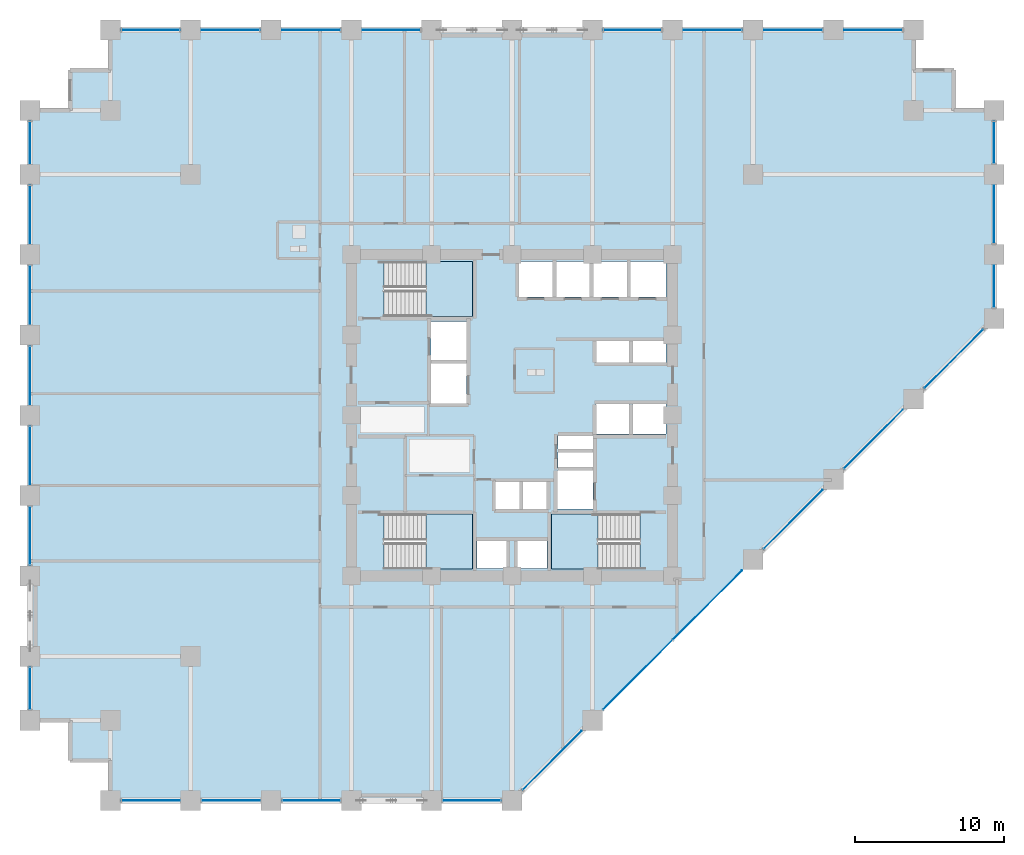
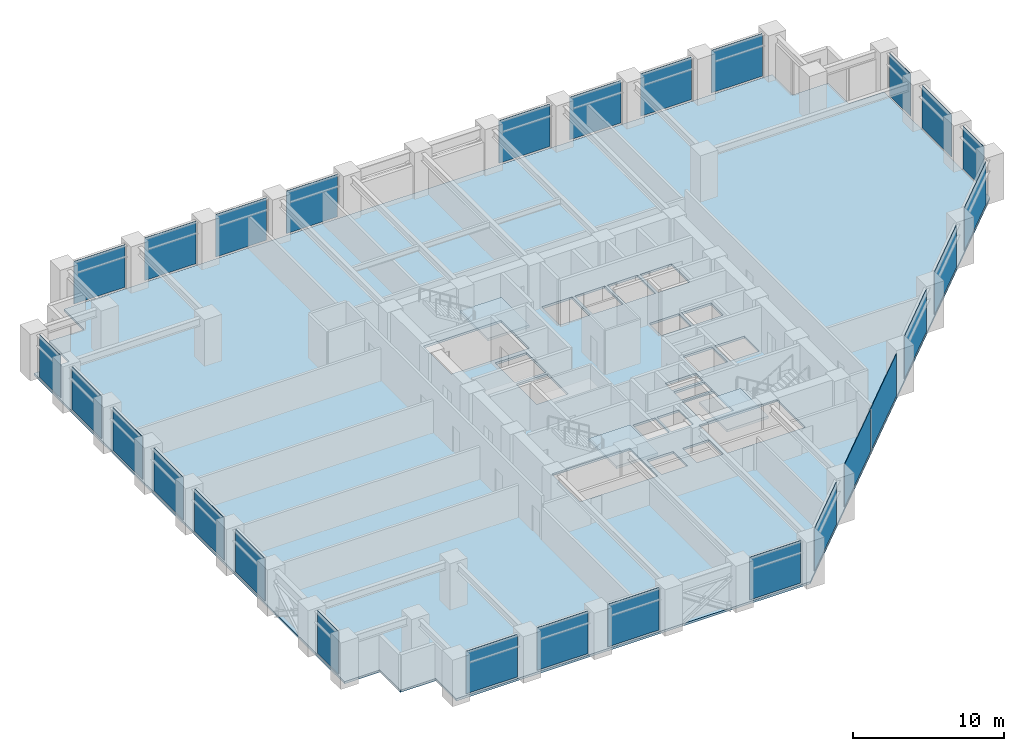
# One storey, part 18 of 24: 28 plates, 4 slabs, 11 elements without a shape of their own.
"""IFC4 building model written with IfcOpenShell, lengths in metres."""

from ifc_helpers import new_model, si_unit, direction, frame, frame_2d, origin, place, context, subcontext, project, spatial, polyline, rectangle, outline, extrude, material, layer, layer_set, type_object, element, aggregate, save


model = new_model("IFC4")

# Units and contexts
model_context = context("Model", 3, precision=1e-05, world=origin(), true_north=direction((0.0, 1.0)))
body_context = subcontext(model_context, "Body", "Model", "MODEL_VIEW")
ifc_project = project(units=[si_unit("LENGTHUNIT", "METRE"), si_unit("AREAUNIT", "SQUARE_METRE"), si_unit("VOLUMEUNIT", "CUBIC_METRE"), si_unit("PLANEANGLEUNIT", "RADIAN"), si_unit("MASSUNIT", "GRAM", prefix="KILO")], contexts=[model_context])

# Site, building, storey
site_placement = place(None, origin())
site = spatial("IfcSite", under=ifc_project, at=site_placement, CompositionType="ELEMENT")
building_placement = place(site_placement, origin())
building = spatial("IfcBuilding", under=site, at=building_placement, Name="Surkhivell Harbour Commons", CompositionType="ELEMENT")
storey_placement = place(building_placement, frame((0.0, 0.0, 30.0)))
storey = spatial("IfcBuildingStorey", under=building, at=storey_placement, Name="L07", CompositionType="ELEMENT", Elevation=30.0)

# Curtain wall, plates
ifc_material_1 = material(Name="Anodised pale-metal aluminium and insulated glazing", Category="aluminium")
ifc_layer_1 = layer(ifc_material_1, 0.219970703125)
ifc_layer_set_1 = layer_set([ifc_layer_1], Name="Anodised pale-metal aluminium and insulated glazing")
curtain_wall_type = type_object("IfcCurtainWallType", Name="CW-SYS-Z1", PredefinedType="NOTDEFINED", material=ifc_layer_set_1)
curtain_wall_1_placement = place(storey_placement, origin())
curtain_wall_1 = element("IfcCurtainWall", 1, at=curtain_wall_1_placement, inside=storey, type_object=curtain_wall_type, Name="L07 Curtain Wall CW-L07-E00S1", PredefinedType="NOTDEFINED")
ifc_material_2 = material(Name="Double-silver low-E laminated vision glass", Category="glass")
ifc_layer_2 = layer(ifc_material_2, 0.031982421875)
ifc_layer_set_2 = layer_set([ifc_layer_2], Name="Double-silver low-E laminated vision glass")
plate_type = type_object("IfcPlateType", Name="CWP-GLZ-32", PredefinedType="CURTAIN_PANEL", material=ifc_layer_set_2)
plate_1_placement = place(storey_placement, frame((-26.248046875, -25.89990234375, 0.14990234375), z_axis=(0.0, 0.0, 1.0), x_axis=(1.0, 0.0, 0.0)))
plate_1 = element("IfcPlate", 2, at=plate_1_placement, type_object=plate_type, Name="CW-Z1 panel 1.1", PredefinedType="CURTAIN_PANEL", context=body_context, shape_type="SweptSolid", body=[
    extrude(rectangle(XDim=3.89599609375, YDim=0.031982421875, at=frame_2d((1.947998046875, 0.0))), origin(), (0.0, 0.0, 1.0), 3.420166015625),
])
plate_2_placement = place(storey_placement, frame((-20.847900390625, -25.89990234375, 0.14990234375), z_axis=(0.0, 0.0, 1.0), x_axis=(1.0, 0.0, 0.0)))
plate_2 = element("IfcPlate", 3, at=plate_2_placement, type_object=plate_type, Name="CW-Z1 panel 2.1", PredefinedType="CURTAIN_PANEL", context=body_context, shape_type="SweptSolid", body=[
    extrude(rectangle(XDim=3.89599609375, YDim=0.031982421875, at=frame_2d((1.947998046875, 0.0))), origin(), (0.0, 0.0, 1.0), 3.420166015625),
])
plate_3_placement = place(storey_placement, frame((-15.447998046875, -25.89990234375, 0.14990234375), z_axis=(0.0, 0.0, 1.0), x_axis=(1.0, 0.0, 0.0)))
plate_3 = element("IfcPlate", 4, at=plate_3_placement, type_object=plate_type, Name="CW-Z1 panel 3.1", PredefinedType="CURTAIN_PANEL", context=body_context, shape_type="SweptSolid", body=[
    extrude(rectangle(XDim=3.89599609375, YDim=0.031982421875, at=frame_2d((1.947998046875, 0.0))), origin(), (0.0, 0.0, 1.0), 3.420166015625),
])
aggregate(curtain_wall_1, [plate_1, plate_2, plate_3])

# Curtain wall, plate
curtain_wall_2_placement = place(storey_placement, origin())
curtain_wall_2 = element("IfcCurtainWall", 5, at=curtain_wall_2_placement, inside=storey, type_object=curtain_wall_type, Name="L07 Curtain Wall CW-L07-E00S2", PredefinedType="NOTDEFINED")
plate_4_placement = place(storey_placement, frame((-4.64794921875, -25.89990234375, 0.14990234375), z_axis=(0.0, 0.0, 1.0), x_axis=(1.0, 0.0, 0.0)))
plate_4 = element("IfcPlate", 6, at=plate_4_placement, type_object=plate_type, Name="CW-Z1 panel 1.1", PredefinedType="CURTAIN_PANEL", context=body_context, shape_type="SweptSolid", body=[
    extrude(rectangle(XDim=3.89599609375, YDim=0.031982421875, at=frame_2d((1.947998046875, 0.0))), origin(), (0.0, 0.0, 1.0), 3.420166015625),
])
aggregate(curtain_wall_2, [plate_4])

# Curtain wall, plates
curtain_wall_3_placement = place(storey_placement, origin())
curtain_wall_3 = element("IfcCurtainWall", 7, at=curtain_wall_3_placement, inside=storey, type_object=curtain_wall_type, Name="L07 Curtain Wall CW-L07-E01", PredefinedType="NOTDEFINED")
plate_5_placement = place(storey_placement, frame((0.729736328125, -25.170166015625, 0.14990234375), z_axis=(0.0, 0.0, 1.0), x_axis=(0.707106781187, 0.707106781187, 0.0)))
plate_5 = element("IfcPlate", 8, at=plate_5_placement, type_object=plate_type, Name="CW-Z1 panel 1.1", PredefinedType="CURTAIN_PANEL", context=body_context, shape_type="SweptSolid", body=[
    extrude(rectangle(XDim=5.572509765625, YDim=0.031982421875, at=frame_2d((2.7861328125, 0.0))), origin(), (0.0, 0.0, 1.0), 3.420166015625),
])
plate_6_placement = place(storey_placement, frame((6.1298828125, -19.770263671875, 0.14990234375), z_axis=(0.0, 0.0, 1.0), x_axis=(0.707088192925, 0.70712536896, 0.0)))
plate_6 = element("IfcPlate", 9, at=plate_6_placement, type_object=plate_type, Name="CW-Z1 panel 2.1", PredefinedType="CURTAIN_PANEL", context=body_context, shape_type="SweptSolid", body=[
    extrude(rectangle(XDim=6.567138671875, YDim=0.031982421875, at=frame_2d((3.28369140625, 0.0))), origin(), (0.0, 0.0, 1.0), 3.420166015625),
])
plate_7_placement = place(storey_placement, frame((10.826416015625, -15.073486328125, 0.14990234375), z_axis=(0.0, 0.0, 1.0), x_axis=(0.70712536896, 0.707088192925, 0.0)))
plate_7 = element("IfcPlate", 10, at=plate_7_placement, type_object=plate_type, Name="CW-Z1 panel 3.1", PredefinedType="CURTAIN_PANEL", context=body_context, shape_type="SweptSolid", body=[
    extrude(rectangle(XDim=6.567138671875, YDim=0.031982421875, at=frame_2d((3.28369140625, 0.0))), origin(), (0.0, 0.0, 1.0), 3.420166015625),
])
plate_8_placement = place(storey_placement, frame((16.929931640625, -8.97021484375, 0.14990234375), z_axis=(0.0, 0.0, 1.0), x_axis=(0.707084874754, 0.70712868694, 0.0)))
plate_8 = element("IfcPlate", 11, at=plate_8_placement, type_object=plate_type, Name="CW-Z1 panel 4.1", PredefinedType="CURTAIN_PANEL", context=body_context, shape_type="SweptSolid", body=[
    extrude(rectangle(XDim=5.572509765625, YDim=0.031982421875, at=frame_2d((2.7861328125, 0.0))), origin(), (0.0, 0.0, 1.0), 3.420166015625),
])
plate_9_placement = place(storey_placement, frame((22.329833984375, -3.570068359375, 0.14990234375), z_axis=(0.0, 0.0, 1.0), x_axis=(0.70712868694, 0.707084874754, 0.0)))
plate_9 = element("IfcPlate", 12, at=plate_9_placement, type_object=plate_type, Name="CW-Z1 panel 5.1", PredefinedType="CURTAIN_PANEL", context=body_context, shape_type="SweptSolid", body=[
    extrude(rectangle(XDim=5.572509765625, YDim=0.031982421875, at=frame_2d((2.7861328125, 0.0))), origin(), (0.0, 0.0, 1.0), 3.420166015625),
])
plate_10_placement = place(storey_placement, frame((27.729736328125, 1.829833984375, 0.14990234375), z_axis=(0.0, 0.0, 1.0), x_axis=(0.707106781187, 0.707106781187, 0.0)))
plate_10 = element("IfcPlate", 13, at=plate_10_placement, type_object=plate_type, Name="CW-Z1 panel 6.1", PredefinedType="CURTAIN_PANEL", context=body_context, shape_type="SweptSolid", body=[
    extrude(rectangle(XDim=5.572509765625, YDim=0.031982421875, at=frame_2d((2.7861328125, 0.0))), origin(), (0.0, 0.0, 1.0), 3.420166015625),
])
aggregate(curtain_wall_3, [plate_5, plate_6, plate_7, plate_8, plate_9, plate_10])

curtain_wall_4_placement = place(storey_placement, origin())
curtain_wall_4 = element("IfcCurtainWall", 14, at=curtain_wall_4_placement, inside=storey, type_object=curtain_wall_type, Name="L07 Curtain Wall CW-L07-E02", PredefinedType="NOTDEFINED")
plate_11_placement = place(storey_placement, frame((32.39990234375, 7.251953125, 0.14990234375), z_axis=(0.0, 0.0, 1.0), x_axis=(0.0, 1.0, 0.0)))
plate_11 = element("IfcPlate", 15, at=plate_11_placement, type_object=plate_type, Name="CW-Z1 panel 1.1", PredefinedType="CURTAIN_PANEL", context=body_context, shape_type="SweptSolid", body=[
    extrude(rectangle(XDim=2.796142578125, YDim=0.031982421875, at=frame_2d((1.39794921875, 0.0))), origin(), (0.0, 0.0, 1.0), 3.420166015625),
])
plate_12_placement = place(storey_placement, frame((32.39990234375, 11.552001953125, 0.14990234375), z_axis=(0.0, 0.0, 1.0), x_axis=(0.0, 1.0, 0.0)))
plate_12 = element("IfcPlate", 16, at=plate_12_placement, type_object=plate_type, Name="CW-Z1 panel 2.1", PredefinedType="CURTAIN_PANEL", context=body_context, shape_type="SweptSolid", body=[
    extrude(rectangle(XDim=3.89599609375, YDim=0.031982421875, at=frame_2d((1.947998046875, 0.0))), origin(), (0.0, 0.0, 1.0), 3.420166015625),
])
plate_13_placement = place(storey_placement, frame((32.39990234375, 16.951904296875, 0.14990234375), z_axis=(0.0, 0.0, 1.0), x_axis=(0.0, 1.0, 0.0)))
plate_13 = element("IfcPlate", 17, at=plate_13_placement, type_object=plate_type, Name="CW-Z1 panel 3.1", PredefinedType="CURTAIN_PANEL", context=body_context, shape_type="SweptSolid", body=[
    extrude(rectangle(XDim=2.796142578125, YDim=0.031982421875, at=frame_2d((1.39794921875, 0.0))), origin(), (0.0, 0.0, 1.0), 3.420166015625),
])
aggregate(curtain_wall_4, [plate_11, plate_12, plate_13])

curtain_wall_5_placement = place(storey_placement, origin())
curtain_wall_5 = element("IfcCurtainWall", 18, at=curtain_wall_5_placement, inside=storey, type_object=curtain_wall_type, Name="L07 Curtain Wall CW-L07-E07S1", PredefinedType="NOTDEFINED")
plate_14_placement = place(storey_placement, frame((26.248046875, 25.89990234375, 0.14990234375), z_axis=(0.0, 0.0, 1.0), x_axis=(-1.0, 0.0, 0.0)))
plate_14 = element("IfcPlate", 19, at=plate_14_placement, type_object=plate_type, Name="CW-Z1 panel 1.1", PredefinedType="CURTAIN_PANEL", context=body_context, shape_type="SweptSolid", body=[
    extrude(rectangle(XDim=3.89599609375, YDim=0.031982421875, at=frame_2d((1.947998046875, 0.0))), origin(), (0.0, 0.0, 1.0), 3.420166015625),
])
plate_15_placement = place(storey_placement, frame((20.847900390625, 25.89990234375, 0.14990234375), z_axis=(0.0, 0.0, 1.0), x_axis=(-1.0, 0.0, 0.0)))
plate_15 = element("IfcPlate", 20, at=plate_15_placement, type_object=plate_type, Name="CW-Z1 panel 2.1", PredefinedType="CURTAIN_PANEL", context=body_context, shape_type="SweptSolid", body=[
    extrude(rectangle(XDim=3.89599609375, YDim=0.031982421875, at=frame_2d((1.947998046875, 0.0))), origin(), (0.0, 0.0, 1.0), 3.420166015625),
])
plate_16_placement = place(storey_placement, frame((15.447998046875, 25.89990234375, 0.14990234375), z_axis=(0.0, 0.0, 1.0), x_axis=(-1.0, 0.0, 0.0)))
plate_16 = element("IfcPlate", 21, at=plate_16_placement, type_object=plate_type, Name="CW-Z1 panel 3.1", PredefinedType="CURTAIN_PANEL", context=body_context, shape_type="SweptSolid", body=[
    extrude(rectangle(XDim=3.89599609375, YDim=0.031982421875, at=frame_2d((1.947998046875, 0.0))), origin(), (0.0, 0.0, 1.0), 3.420166015625),
])
plate_17_placement = place(storey_placement, frame((10.048095703125, 25.89990234375, 0.14990234375), z_axis=(0.0, 0.0, 1.0), x_axis=(-1.0, 0.0, 0.0)))
plate_17 = element("IfcPlate", 22, at=plate_17_placement, type_object=plate_type, Name="CW-Z1 panel 4.1", PredefinedType="CURTAIN_PANEL", context=body_context, shape_type="SweptSolid", body=[
    extrude(rectangle(XDim=3.89599609375, YDim=0.031982421875, at=frame_2d((1.947998046875, 0.0))), origin(), (0.0, 0.0, 1.0), 3.420166015625),
])
aggregate(curtain_wall_5, [plate_14, plate_15, plate_16, plate_17])

curtain_wall_6_placement = place(storey_placement, origin())
curtain_wall_6 = element("IfcCurtainWall", 23, at=curtain_wall_6_placement, inside=storey, type_object=curtain_wall_type, Name="L07 Curtain Wall CW-L07-E07S2", PredefinedType="NOTDEFINED")
plate_18_placement = place(storey_placement, frame((-6.152099609375, 25.89990234375, 0.14990234375), z_axis=(0.0, 0.0, 1.0), x_axis=(-1.0, 0.0, 0.0)))
plate_18 = element("IfcPlate", 24, at=plate_18_placement, type_object=plate_type, Name="CW-Z1 panel 1.1", PredefinedType="CURTAIN_PANEL", context=body_context, shape_type="SweptSolid", body=[
    extrude(rectangle(XDim=3.89599609375, YDim=0.031982421875, at=frame_2d((1.947998046875, 0.0))), origin(), (0.0, 0.0, 1.0), 3.420166015625),
])
plate_19_placement = place(storey_placement, frame((-11.552001953125, 25.89990234375, 0.14990234375), z_axis=(0.0, 0.0, 1.0), x_axis=(-1.0, 0.0, 0.0)))
plate_19 = element("IfcPlate", 25, at=plate_19_placement, type_object=plate_type, Name="CW-Z1 panel 2.1", PredefinedType="CURTAIN_PANEL", context=body_context, shape_type="SweptSolid", body=[
    extrude(rectangle(XDim=3.89599609375, YDim=0.031982421875, at=frame_2d((1.947998046875, 0.0))), origin(), (0.0, 0.0, 1.0), 3.420166015625),
])
plate_20_placement = place(storey_placement, frame((-16.951904296875, 25.89990234375, 0.14990234375), z_axis=(0.0, 0.0, 1.0), x_axis=(-1.0, 0.0, 0.0)))
plate_20 = element("IfcPlate", 26, at=plate_20_placement, type_object=plate_type, Name="CW-Z1 panel 3.1", PredefinedType="CURTAIN_PANEL", context=body_context, shape_type="SweptSolid", body=[
    extrude(rectangle(XDim=3.89599609375, YDim=0.031982421875, at=frame_2d((1.947998046875, 0.0))), origin(), (0.0, 0.0, 1.0), 3.420166015625),
])
plate_21_placement = place(storey_placement, frame((-22.35205078125, 25.89990234375, 0.14990234375), z_axis=(0.0, 0.0, 1.0), x_axis=(-1.0, 0.0, 0.0)))
plate_21 = element("IfcPlate", 27, at=plate_21_placement, type_object=plate_type, Name="CW-Z1 panel 4.1", PredefinedType="CURTAIN_PANEL", context=body_context, shape_type="SweptSolid", body=[
    extrude(rectangle(XDim=3.89599609375, YDim=0.031982421875, at=frame_2d((1.947998046875, 0.0))), origin(), (0.0, 0.0, 1.0), 3.420166015625),
])
aggregate(curtain_wall_6, [plate_18, plate_19, plate_20, plate_21])

curtain_wall_7_placement = place(storey_placement, origin())
curtain_wall_7 = element("IfcCurtainWall", 28, at=curtain_wall_7_placement, inside=storey, type_object=curtain_wall_type, Name="L07 Curtain Wall CW-L07-E12S1", PredefinedType="NOTDEFINED")
plate_22_placement = place(storey_placement, frame((-32.39990234375, 19.748046875, 0.14990234375), z_axis=(0.0, 0.0, 1.0), x_axis=(0.0, -1.0, 0.0)))
plate_22 = element("IfcPlate", 29, at=plate_22_placement, type_object=plate_type, Name="CW-Z1 panel 1.1", PredefinedType="CURTAIN_PANEL", context=body_context, shape_type="SweptSolid", body=[
    extrude(rectangle(XDim=2.796142578125, YDim=0.031982421875, at=frame_2d((1.39794921875, 0.0))), origin(), (0.0, 0.0, 1.0), 3.420166015625),
])
plate_23_placement = place(storey_placement, frame((-32.39990234375, 15.447998046875, 0.14990234375), z_axis=(0.0, 0.0, 1.0), x_axis=(0.0, -1.0, 0.0)))
plate_23 = element("IfcPlate", 30, at=plate_23_placement, type_object=plate_type, Name="CW-Z1 panel 2.1", PredefinedType="CURTAIN_PANEL", context=body_context, shape_type="SweptSolid", body=[
    extrude(rectangle(XDim=3.89599609375, YDim=0.031982421875, at=frame_2d((1.947998046875, 0.0))), origin(), (0.0, 0.0, 1.0), 3.420166015625),
])
plate_24_placement = place(storey_placement, frame((-32.39990234375, 10.048095703125, 0.14990234375), z_axis=(0.0, 0.0, 1.0), x_axis=(0.0, -1.0, 0.0)))
plate_24 = element("IfcPlate", 31, at=plate_24_placement, type_object=plate_type, Name="CW-Z1 panel 3.1", PredefinedType="CURTAIN_PANEL", context=body_context, shape_type="SweptSolid", body=[
    extrude(rectangle(XDim=3.89599609375, YDim=0.031982421875, at=frame_2d((1.947998046875, 0.0))), origin(), (0.0, 0.0, 1.0), 3.420166015625),
])
plate_25_placement = place(storey_placement, frame((-32.39990234375, 4.64794921875, 0.14990234375), z_axis=(0.0, 0.0, 1.0), x_axis=(0.0, -1.0, 0.0)))
plate_25 = element("IfcPlate", 32, at=plate_25_placement, type_object=plate_type, Name="CW-Z1 panel 4.1", PredefinedType="CURTAIN_PANEL", context=body_context, shape_type="SweptSolid", body=[
    extrude(rectangle(XDim=3.89599609375, YDim=0.031982421875, at=frame_2d((1.947998046875, 0.0))), origin(), (0.0, 0.0, 1.0), 3.420166015625),
])
plate_26_placement = place(storey_placement, frame((-32.39990234375, -0.751953125, 0.14990234375), z_axis=(0.0, 0.0, 1.0), x_axis=(0.0, -1.0, 0.0)))
plate_26 = element("IfcPlate", 33, at=plate_26_placement, type_object=plate_type, Name="CW-Z1 panel 5.1", PredefinedType="CURTAIN_PANEL", context=body_context, shape_type="SweptSolid", body=[
    extrude(rectangle(XDim=3.89599609375, YDim=0.031982421875, at=frame_2d((1.947998046875, 0.0))), origin(), (0.0, 0.0, 1.0), 3.420166015625),
])
plate_27_placement = place(storey_placement, frame((-32.39990234375, -6.152099609375, 0.14990234375), z_axis=(0.0, 0.0, 1.0), x_axis=(0.0, -1.0, 0.0)))
plate_27 = element("IfcPlate", 34, at=plate_27_placement, type_object=plate_type, Name="CW-Z1 panel 6.1", PredefinedType="CURTAIN_PANEL", context=body_context, shape_type="SweptSolid", body=[
    extrude(rectangle(XDim=3.89599609375, YDim=0.031982421875, at=frame_2d((1.947998046875, 0.0))), origin(), (0.0, 0.0, 1.0), 3.420166015625),
])
aggregate(curtain_wall_7, [plate_22, plate_23, plate_24, plate_25, plate_26, plate_27])

# Curtain wall, plate
curtain_wall_8_placement = place(storey_placement, origin())
curtain_wall_8 = element("IfcCurtainWall", 35, at=curtain_wall_8_placement, inside=storey, type_object=curtain_wall_type, Name="L07 Curtain Wall CW-L07-E12S2", PredefinedType="NOTDEFINED")
plate_28_placement = place(storey_placement, frame((-32.39990234375, -16.951904296875, 0.14990234375), z_axis=(0.0, 0.0, 1.0), x_axis=(0.0, -1.0, 0.0)))
plate_28 = element("IfcPlate", 36, at=plate_28_placement, type_object=plate_type, Name="CW-Z1 panel 1.1", PredefinedType="CURTAIN_PANEL", context=body_context, shape_type="SweptSolid", body=[
    extrude(rectangle(XDim=2.796142578125, YDim=0.031982421875, at=frame_2d((1.39794921875, 0.0))), origin(), (0.0, 0.0, 1.0), 3.420166015625),
])
aggregate(curtain_wall_8, [plate_28])

# Stair, slab
ifc_material_3 = material(Name="Precast concrete C45/55", Category="concrete")
stair_type = type_object("IfcStairType", Name="STR-DL-375", PredefinedType="HALF_TURN_STAIR", material=ifc_material_3)
stair_1_placement = place(storey_placement, origin())
stair_1 = element("IfcStair", 37, at=stair_1_placement, inside=storey, type_object=stair_type, Name="L07 Core Exit Stair ST1", PredefinedType="HALF_TURN_STAIR")
ifc_material_4 = material(Name="Reinforced concrete C45/55", Category="concrete")
ifc_layer_3 = layer(ifc_material_4, 0.199951171875)
ifc_layer_set_3 = layer_set([ifc_layer_3], Name="Reinforced concrete C45/55")
slab_type_1 = type_object("IfcSlabType", Name="SLB-ST-LND200", PredefinedType="LANDING", material=ifc_layer_set_3)
slab_1_placement = place(storey_placement, frame((0.0, 0.0, 1.675048828125)))
slab_1 = element("IfcSlab", 38, at=slab_1_placement, type_object=slab_type_1, Name="ST1 landing 1", PredefinedType="LANDING", context=body_context, shape_type="SweptSolid", body=[
    extrude(outline(polyline([(-5.7900390625, 6.639892578125), (-2.639892578125, 6.639892578125), (-2.639892578125, 10.340087890625), (-5.7900390625, 10.340087890625), (-5.7900390625, 6.639892578125)])), origin(), (0.0, 0.0, 1.0), 0.199951171875),
])
aggregate(stair_1, [slab_1])

stair_2_placement = place(storey_placement, origin())
stair_2 = element("IfcStair", 39, at=stair_2_placement, inside=storey, type_object=stair_type, Name="L07 Core Exit Stair ST2", PredefinedType="HALF_TURN_STAIR")
slab_2_placement = place(storey_placement, frame((0.0, 0.0, 1.675048828125)))
slab_2 = element("IfcSlab", 40, at=slab_2_placement, type_object=slab_type_1, Name="ST2 landing 1", PredefinedType="LANDING", context=body_context, shape_type="SweptSolid", body=[
    extrude(outline(polyline([(5.7900390625, -6.639892578125), (2.639892578125, -6.639892578125), (2.639892578125, -10.340087890625), (5.7900390625, -10.340087890625), (5.7900390625, -6.639892578125)])), origin(), (0.0, 0.0, 1.0), 0.199951171875),
])
aggregate(stair_2, [slab_2])

stair_3_placement = place(storey_placement, origin())
stair_3 = element("IfcStair", 41, at=stair_3_placement, inside=storey, type_object=stair_type, Name="L07 Core Exit Stair ST3", PredefinedType="HALF_TURN_STAIR")
slab_3_placement = place(storey_placement, frame((0.0, 0.0, 1.675048828125)))
slab_3 = element("IfcSlab", 42, at=slab_3_placement, type_object=slab_type_1, Name="ST3 landing 1", PredefinedType="LANDING", context=body_context, shape_type="SweptSolid", body=[
    extrude(outline(polyline([(-5.7900390625, -10.340087890625), (-2.639892578125, -10.340087890625), (-2.639892578125, -6.639892578125), (-5.7900390625, -6.639892578125), (-5.7900390625, -10.340087890625)])), origin(), (0.0, 0.0, 1.0), 0.199951171875),
])
aggregate(stair_3, [slab_3])

# Slab
ifc_material_5 = material(Name="Concrete C45/55", Category="concrete")
ifc_layer_4 = layer(ifc_material_5, 0.179931640625)
ifc_layer_set_4 = layer_set([ifc_layer_4], Name="Concrete C45/55")
slab_type_2 = type_object("IfcSlabType", Name="SLB-TYP-180", PredefinedType="FLOOR", material=ifc_layer_set_4)
slab_4_placement = place(storey_placement, frame((0.0, 0.0, -0.179931640625)))
element("IfcSlab", 43, at=slab_4_placement, inside=storey, type_object=slab_type_2, Name="L07 Structural Floor Slab", PredefinedType="FLOOR", context=body_context, shape_type="SweptSolid", body=[
    extrude(outline(polyline([(-27.0, -25.89990234375), (0.0, -25.89990234375), (32.39990234375, 6.5), (32.39990234375, 20.5), (29.699951171875, 20.5), (29.699951171875, 23.199951171875), (27.0, 23.199951171875), (27.0, 25.89990234375), (-27.0, 25.89990234375), (-27.0, 23.199951171875), (-29.699951171875, 23.199951171875), (-29.699951171875, 20.5), (-32.39990234375, 20.5), (-32.39990234375, -20.5), (-29.699951171875, -20.5), (-29.699951171875, -23.199951171875), (-27.0, -23.199951171875), (-27.0, -25.89990234375)]), holes=[polyline([(-8.590087890625, 6.639892578125), (-2.639892578125, 6.639892578125), (-2.639892578125, 10.340087890625), (-8.590087890625, 10.340087890625), (-8.590087890625, 6.639892578125)]), polyline([(8.590087890625, -6.639892578125), (2.639892578125, -6.639892578125), (2.639892578125, -10.340087890625), (8.590087890625, -10.340087890625), (8.590087890625, -6.639892578125)]), polyline([(-8.590087890625, -10.340087890625), (-2.639892578125, -10.340087890625), (-2.639892578125, -6.639892578125), (-8.590087890625, -6.639892578125), (-8.590087890625, -10.340087890625)]), polyline([(0.449951171875, 7.949951171875), (2.75, 7.949951171875), (2.75, 10.35009765625), (0.449951171875, 10.35009765625), (0.449951171875, 7.949951171875)]), polyline([(2.949951171875, 7.949951171875), (5.25, 7.949951171875), (5.25, 10.35009765625), (2.949951171875, 10.35009765625), (2.949951171875, 7.949951171875)]), polyline([(5.449951171875, 7.949951171875), (7.75, 7.949951171875), (7.75, 10.35009765625), (5.449951171875, 10.35009765625), (5.449951171875, 7.949951171875)]), polyline([(7.949951171875, 7.949951171875), (10.35009765625, 7.949951171875), (10.35009765625, 10.35009765625), (7.949951171875, 10.35009765625), (7.949951171875, 7.949951171875)]), polyline([(5.64990234375, 3.550048828125), (7.89990234375, 3.550048828125), (7.89990234375, 5.14990234375), (5.64990234375, 5.14990234375), (5.64990234375, 3.550048828125)]), polyline([(8.10009765625, 3.550048828125), (10.35009765625, 3.550048828125), (10.35009765625, 5.14990234375), (8.10009765625, 5.14990234375), (8.10009765625, 3.550048828125)]), polyline([(5.64990234375, -1.25), (7.89990234375, -1.25), (7.89990234375, 0.75), (5.64990234375, 0.75), (5.64990234375, -1.25)]), polyline([(8.10009765625, -1.25), (10.35009765625, -1.25), (10.35009765625, 0.75), (8.10009765625, 0.75), (8.10009765625, -1.25)]), polyline([(-1.14990234375, -6.35009765625), (0.550048828125, -6.35009765625), (0.550048828125, -4.449951171875), (-1.14990234375, -4.449951171875), (-1.14990234375, -6.35009765625)]), polyline([(0.679931640625, -6.35009765625), (2.3798828125, -6.35009765625), (2.3798828125, -4.449951171875), (0.679931640625, -4.449951171875), (0.679931640625, -6.35009765625)]), polyline([(-2.35009765625, -10.300048828125), (-0.35009765625, -10.300048828125), (-0.35009765625, -8.39990234375), (-2.35009765625, -8.39990234375), (-2.35009765625, -10.300048828125)]), polyline([(0.35009765625, -10.300048828125), (2.35009765625, -10.300048828125), (2.35009765625, -8.39990234375), (0.35009765625, -8.39990234375), (0.35009765625, -10.300048828125)]), polyline([(-5.449951171875, 3.699951171875), (-3.050048828125, 3.699951171875), (-3.050048828125, 6.300048828125), (-5.449951171875, 6.300048828125), (-5.449951171875, 3.699951171875)]), polyline([(3.050048828125, -6.300048828125), (5.449951171875, -6.300048828125), (5.449951171875, -3.699951171875), (3.050048828125, -3.699951171875), (3.050048828125, -6.300048828125)]), polyline([(-5.449951171875, 0.800048828125), (-3.050048828125, 0.800048828125), (-3.050048828125, 3.5), (-5.449951171875, 3.5), (-5.449951171875, 0.800048828125)]), polyline([(3.10009765625, -3.550048828125), (5.449951171875, -3.550048828125), (5.449951171875, -2.47998046875), (3.10009765625, -2.47998046875), (3.10009765625, -3.550048828125)]), polyline([(3.10009765625, -2.280029296875), (5.449951171875, -2.280029296875), (5.449951171875, -1.35009765625), (3.10009765625, -1.35009765625), (3.10009765625, -2.280029296875)])]), origin(), (0.0, 0.0, 1.0), 0.179931640625),
])

save(model, "model.ifc")
